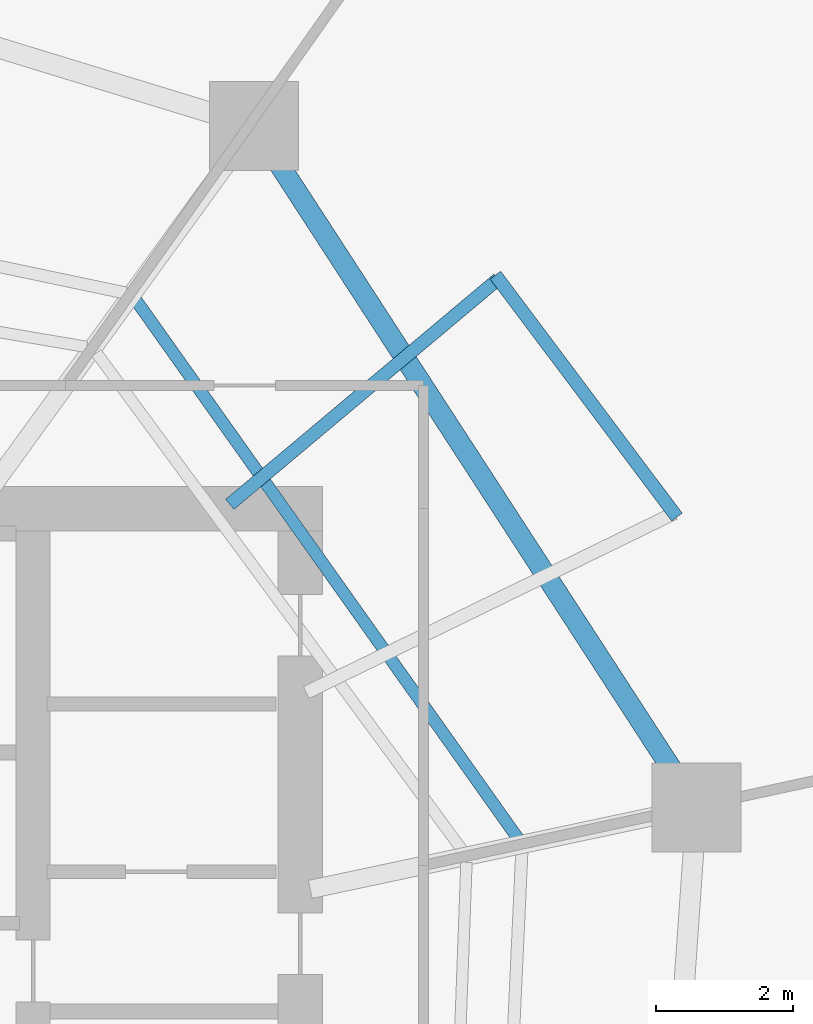
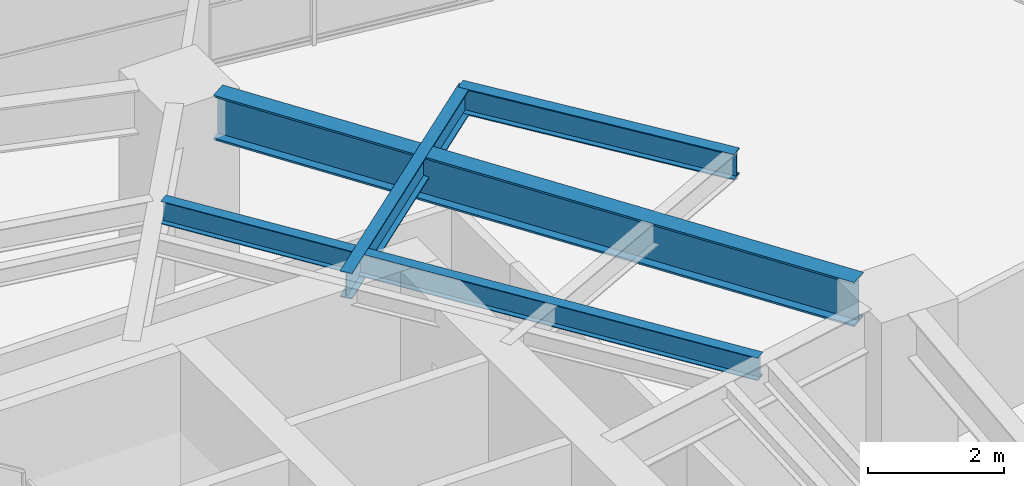
# One storey, part 23 of 30: 4 beams.
"""IFC4 building model written with IfcOpenShell, lengths in metres."""

from ifc_helpers import new_model, si_unit, direction, frame, origin, origin_2d, place, context, subcontext, project, spatial, i_section, extrude, material, material_profile, profile_set, type_object, element, save


model = new_model("IFC4")

# Units and contexts
model_context = context("Model", 3, precision=1e-05, world=origin(), true_north=direction((0.0, 1.0)))
body_context = subcontext(model_context, "Body", "Model", "MODEL_VIEW")
ifc_project = project(units=[si_unit("LENGTHUNIT", "METRE"), si_unit("AREAUNIT", "SQUARE_METRE"), si_unit("VOLUMEUNIT", "CUBIC_METRE"), si_unit("PLANEANGLEUNIT", "RADIAN"), si_unit("MASSUNIT", "GRAM", prefix="KILO")], contexts=[model_context])

# Site, building, storey
site_placement = place(None, origin())
site = spatial("IfcSite", under=ifc_project, at=site_placement, CompositionType="ELEMENT")
building_placement = place(site_placement, origin())
building = spatial("IfcBuilding", under=site, at=building_placement, Name="Qarnah Convention Tower", CompositionType="ELEMENT")
storey_placement = place(building_placement, frame((0.0, 0.0, 40.800048828125)))
storey = spatial("IfcBuildingStorey", under=building, at=storey_placement, Name="L09", CompositionType="ELEMENT", Elevation=40.800048828125)

# Beams
ifc_material = material(Name="Structural steel S355JR", Category="steel")
ifc_material_profile_1 = material_profile(ifc_material, i_section(OverallWidth=0.19189453125, OverallDepth=0.464111328125, WebThickness=0.010986328125, FlangeThickness=0.01806640625, at=origin_2d()), Name="W460X89")
ifc_profile_set_1 = profile_set([ifc_material_profile_1], Name="Structural steel S355JR")
beam_type_1 = type_object("IfcBeamType", Name="BM-CANT-W460A", PredefinedType="BEAM", material=ifc_profile_set_1)
beam_1_placement = place(storey_placement, frame((46.572021484375, 34.263916015625, 2.93798828125), z_axis=(0.765964185984, 0.64288324429, 0.0), x_axis=(-0.64288324429, 0.765964185984, 0.0)))
element("IfcBeam", 1, at=beam_1_placement, inside=storey, type_object=beam_type_1, Name="L09 beam BM-L09-CNT-01-2", PredefinedType="BEAM", context=body_context, shape_type="SweptSolid", body=[
    extrude(i_section(OverallWidth=0.19189453125, OverallDepth=0.464111328125, WebThickness=0.010986328125, FlangeThickness=0.01806640625, at=origin_2d()), origin(), (0.0, 0.0, 1.0), 5.11767578125),
])
beam_2_placement = place(storey_placement, frame((53.10107421875, 34.077880859375, 2.93798828125), z_axis=(-0.600282994859, 0.799787675626, 0.0), x_axis=(-0.799787675626, -0.600282994859, 0.0)))
element("IfcBeam", 2, at=beam_2_placement, inside=storey, type_object=beam_type_1, Name="L09 spandrel BM-L09-CTIE-01", PredefinedType="SPANDREL", context=body_context, shape_type="SweptSolid", body=[
    extrude(i_section(OverallWidth=0.19189453125, OverallDepth=0.464111328125, WebThickness=0.010986328125, FlangeThickness=0.01806640625, at=origin_2d()), origin(), (0.0, 0.0, 1.0), 4.41650390625),
])
ifc_material_profile_2 = material_profile(ifc_material, i_section(OverallWidth=0.177978515625, OverallDepth=0.407958984375, WebThickness=0.008056640625, FlangeThickness=0.012939453125, at=origin_2d()), Name="W410X60")
ifc_profile_set_2 = profile_set([ifc_material_profile_2], Name="Structural steel S355JR")
beam_type_2 = type_object("IfcBeamType", Name="BM-JST-W410", PredefinedType="JOIST", material=ifc_profile_set_2)
beam_3_placement = place(storey_placement, frame((50.7890625, 29.373046875, 2.966064453125), z_axis=(-0.578803887341, 0.815466774307, 0.0), x_axis=(-0.815466774307, -0.578803887341, 0.0)))
element("IfcBeam", 3, at=beam_3_placement, inside=storey, type_object=beam_type_2, Name="L09 joist BM-L09-SJST-01", PredefinedType="JOIST", context=body_context, shape_type="SweptSolid", body=[
    extrude(i_section(OverallWidth=0.177978515625, OverallDepth=0.407958984375, WebThickness=0.008056640625, FlangeThickness=0.012939453125, at=origin_2d()), origin(), (0.0, 0.0, 1.0), 9.668212890625),
])
ifc_material_profile_3 = material_profile(ifc_material, i_section(OverallWidth=0.300048828125, OverallDepth=0.800048828125, WebThickness=0.01806640625, FlangeThickness=0.032958984375, at=origin_2d()), Name="HEB800")
ifc_profile_set_3 = profile_set([ifc_material_profile_3], Name="Structural steel S355JR")
beam_type_3 = type_object("IfcBeamType", Name="BM-RING-HEB800", PredefinedType="BEAM", material=ifc_profile_set_3)
beam_4_placement = place(storey_placement, frame((53.0390625, 30.3779296875, 2.77001953125), z_axis=(-0.544579515688, 0.838709217246, 0.0), x_axis=(-0.838709217246, -0.544579515688, 0.0)))
element("IfcBeam", 4, at=beam_4_placement, inside=storey, type_object=beam_type_3, Name="L09 beam BM-L09-SPN-01", PredefinedType="BEAM", context=body_context, shape_type="SweptSolid", body=[
    extrude(i_section(OverallWidth=0.300048828125, OverallDepth=0.800048828125, WebThickness=0.01806640625, FlangeThickness=0.032958984375, at=origin_2d()), origin(), (0.0, 0.0, 1.0), 10.58056640625),
])

save(model, "model.ifc")
